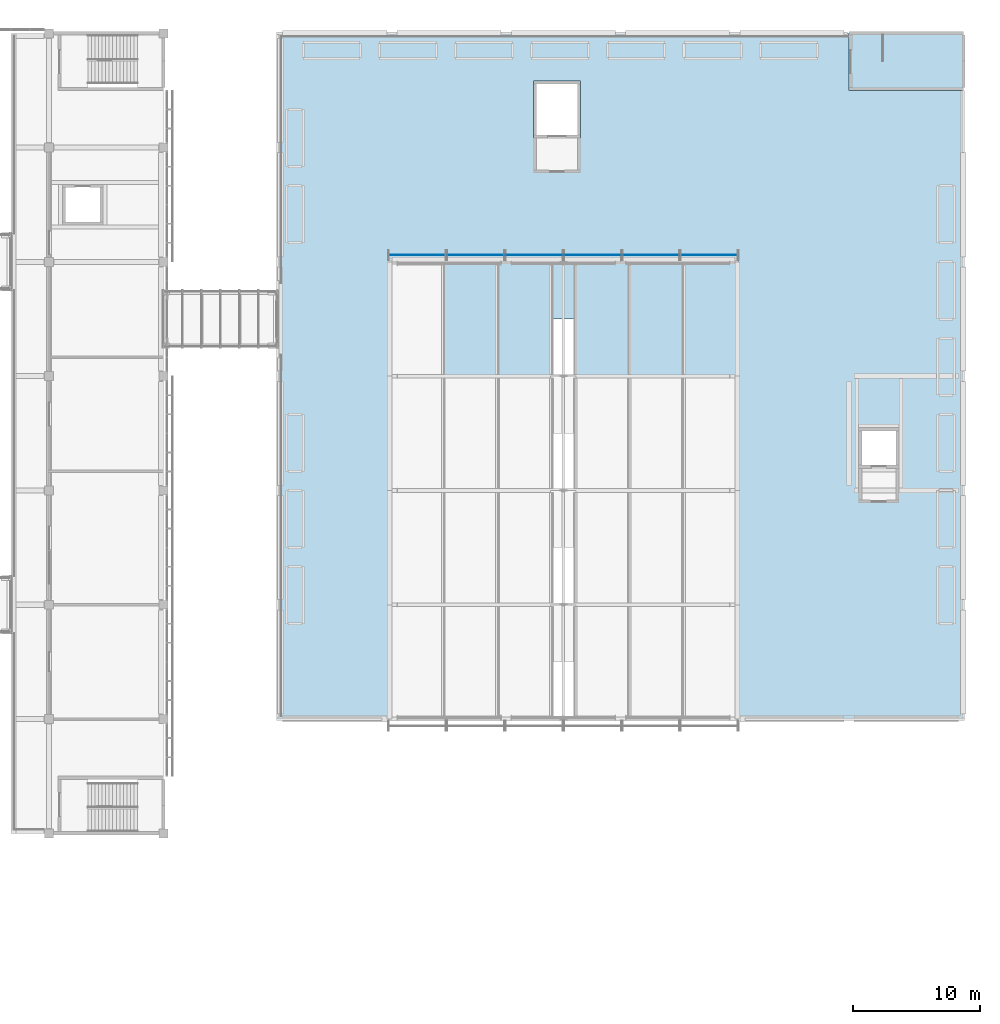
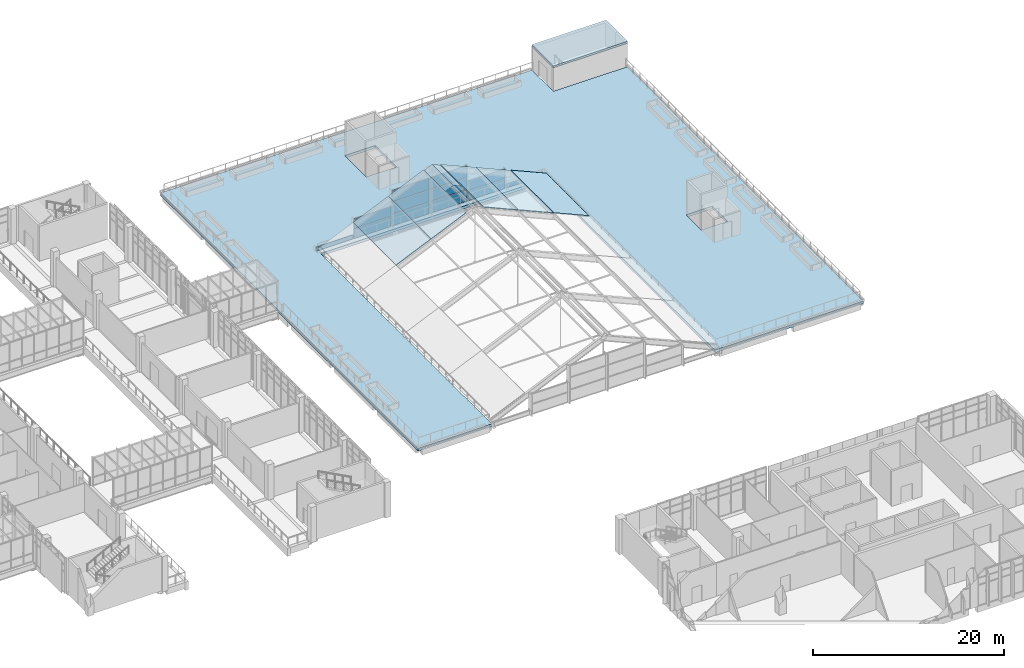
# One storey, part 65 of 106: 19 plates, 2 slabs, 6 elements without a shape of their own.
"""IFC4 building model written with IfcOpenShell, lengths in metres."""

from ifc_helpers import new_model, si_unit, direction, frame, origin, origin_2d, place, context, subcontext, project, spatial, polyline, rectangle, outline, extrude, material, layer, layer_set, type_object, element, aggregate, save


model = new_model("IFC4")

# Units and contexts
model_context = context("Model", 3, precision=1e-05, world=origin(), true_north=direction((0.0, 1.0)))
body_context = subcontext(model_context, "Body", "Model", "MODEL_VIEW")
ifc_project = project(units=[si_unit("LENGTHUNIT", "METRE"), si_unit("AREAUNIT", "SQUARE_METRE"), si_unit("VOLUMEUNIT", "CUBIC_METRE"), si_unit("PLANEANGLEUNIT", "RADIAN"), si_unit("MASSUNIT", "GRAM", prefix="KILO")], contexts=[model_context])

# Site, building, storey
site_placement = place(None, origin())
site = spatial("IfcSite", under=ifc_project, at=site_placement, CompositionType="ELEMENT")
building_placement = place(site_placement, origin())
building = spatial("IfcBuilding", under=site, at=building_placement, Name="Guidao Yard Department Store", CompositionType="ELEMENT")
storey_placement = place(building_placement, frame((0.0, 0.0, 10.5)))
storey = spatial("IfcBuildingStorey", under=building, at=storey_placement, Name="L02", CompositionType="ELEMENT", Elevation=10.5)

# Curtain wall, plate
ifc_material_1 = material(Name="Aluminium and glass", Category="aluminium")
ifc_layer_1 = layer(ifc_material_1, 0.159912109375)
ifc_layer_set_1 = layer_set([ifc_layer_1], Name="Gable glazing CW7 1500 module")
curtain_wall_type = type_object("IfcCurtainWallType", Name="Gable glazing CW7 1500 module", PredefinedType="NOTDEFINED", material=ifc_layer_set_1)
curtain_wall_1_placement = place(storey_placement, origin())
curtain_wall_1 = element("IfcCurtainWall", 1, at=curtain_wall_1_placement, inside=storey, type_object=curtain_wall_type, Name="Gable glazing FN1", PredefinedType="NOTDEFINED")
ifc_material_2 = material(Name="Laminated glass", Category="glass")
ifc_layer_2 = layer(ifc_material_2, 0.017578125)
ifc_layer_set_2 = layer_set([ifc_layer_2], Name="Gable glass GG1 laminated 8+8")
plate_type_1 = type_object("IfcPlateType", Name="Gable glass GG1 laminated 8+8", PredefinedType="CURTAIN_PANEL", material=ifc_layer_set_2)
plate_1_placement = place(storey_placement, frame((128.0029296875, 90.5400390625, 0.06005859375), z_axis=(0.0, 0.0, 1.0), x_axis=(1.0, 0.0, 0.0)))
plate_1 = element("IfcPlate", 2, at=plate_1_placement, type_object=plate_type_1, Name="CW-TFN1 panel 1.1", PredefinedType="CURTAIN_PANEL", context=body_context, shape_type="SweptSolid", body=[
    extrude(rectangle(XDim=4.478759765625, YDim=0.017578125, at=origin_2d()), origin(), (0.0, 0.0, 1.0), 0.520751953125),
])
aggregate(curtain_wall_1, [plate_1])

# Curtain wall, plates
curtain_wall_2_placement = place(storey_placement, origin())
curtain_wall_2 = element("IfcCurtainWall", 3, at=curtain_wall_2_placement, inside=storey, type_object=curtain_wall_type, Name="Gable glazing FN2", PredefinedType="NOTDEFINED")
plate_2_placement = place(storey_placement, frame((132.601806640625, 90.5400390625, 0.06005859375), z_axis=(0.0, 0.0, 1.0), x_axis=(1.0, 0.0, 0.0)))
plate_2 = element("IfcPlate", 4, at=plate_2_placement, type_object=plate_type_1, Name="CW-TFN2 panel 1.1", PredefinedType="CURTAIN_PANEL", context=body_context, shape_type="SweptSolid", body=[
    extrude(rectangle(XDim=4.478759765625, YDim=0.017578125, at=origin_2d()), origin(), (0.0, 0.0, 1.0), 1.24072265625),
])
plate_3_placement = place(storey_placement, frame((132.601806640625, 90.5400390625, 1.36083984375), z_axis=(0.0, 0.0, 1.0), x_axis=(1.0, 0.0, 0.0)))
plate_3 = element("IfcPlate", 5, at=plate_3_placement, type_object=plate_type_1, Name="CW-TFN2 panel 1.2", PredefinedType="CURTAIN_PANEL", context=body_context, shape_type="SweptSolid", body=[
    extrude(rectangle(XDim=4.478759765625, YDim=0.017578125, at=origin_2d()), origin(), (0.0, 0.0, 1.0), 1.24072265625),
])
aggregate(curtain_wall_2, [plate_2, plate_3])

curtain_wall_3_placement = place(storey_placement, origin())
curtain_wall_3 = element("IfcCurtainWall", 6, at=curtain_wall_3_placement, inside=storey, type_object=curtain_wall_type, Name="Gable glazing FN3", PredefinedType="NOTDEFINED")
plate_4_placement = place(storey_placement, frame((137.20068359375, 90.5400390625, 0.06005859375), z_axis=(0.0, 0.0, 1.0), x_axis=(1.0, 0.0, 0.0)))
plate_4 = element("IfcPlate", 7, at=plate_4_placement, type_object=plate_type_1, Name="CW-TFN3 panel 1.1", PredefinedType="CURTAIN_PANEL", context=body_context, shape_type="SweptSolid", body=[
    extrude(rectangle(XDim=4.478759765625, YDim=0.017578125, at=origin_2d()), origin(), (0.0, 0.0, 1.0), 1.470703125),
])
plate_5_placement = place(storey_placement, frame((137.20068359375, 90.5400390625, 1.5908203125), z_axis=(0.0, 0.0, 1.0), x_axis=(1.0, 0.0, 0.0)))
plate_5 = element("IfcPlate", 8, at=plate_5_placement, type_object=plate_type_1, Name="CW-TFN3 panel 1.2", PredefinedType="CURTAIN_PANEL", context=body_context, shape_type="SweptSolid", body=[
    extrude(rectangle(XDim=4.478759765625, YDim=0.017578125, at=origin_2d()), origin(), (0.0, 0.0, 1.0), 1.500732421875),
])
plate_6_placement = place(storey_placement, frame((137.20068359375, 90.5400390625, 3.1513671875), z_axis=(0.0, 0.0, 1.0), x_axis=(1.0, 0.0, 0.0)))
plate_6 = element("IfcPlate", 9, at=plate_6_placement, type_object=plate_type_1, Name="CW-TFN3 panel 1.3", PredefinedType="CURTAIN_PANEL", context=body_context, shape_type="SweptSolid", body=[
    extrude(rectangle(XDim=4.478759765625, YDim=0.017578125, at=origin_2d()), origin(), (0.0, 0.0, 1.0), 1.470703125),
])
aggregate(curtain_wall_3, [plate_4, plate_5, plate_6])

curtain_wall_4_placement = place(storey_placement, origin())
curtain_wall_4 = element("IfcCurtainWall", 10, at=curtain_wall_4_placement, inside=storey, type_object=curtain_wall_type, Name="Gable glazing FN4", PredefinedType="NOTDEFINED")
plate_7_placement = place(storey_placement, frame((141.79931640625, 90.5400390625, 0.06005859375), z_axis=(0.0, 0.0, 1.0), x_axis=(1.0, 0.0, 0.0)))
plate_7 = element("IfcPlate", 11, at=plate_7_placement, type_object=plate_type_1, Name="CW-TFN4 panel 1.1", PredefinedType="CURTAIN_PANEL", context=body_context, shape_type="SweptSolid", body=[
    extrude(rectangle(XDim=4.478759765625, YDim=0.017578125, at=origin_2d()), origin(), (0.0, 0.0, 1.0), 1.470703125),
])
plate_8_placement = place(storey_placement, frame((141.79931640625, 90.5400390625, 1.5908203125), z_axis=(0.0, 0.0, 1.0), x_axis=(1.0, 0.0, 0.0)))
plate_8 = element("IfcPlate", 12, at=plate_8_placement, type_object=plate_type_1, Name="CW-TFN4 panel 1.2", PredefinedType="CURTAIN_PANEL", context=body_context, shape_type="SweptSolid", body=[
    extrude(rectangle(XDim=4.478759765625, YDim=0.017578125, at=origin_2d()), origin(), (0.0, 0.0, 1.0), 1.500732421875),
])
plate_9_placement = place(storey_placement, frame((141.79931640625, 90.5400390625, 3.1513671875), z_axis=(0.0, 0.0, 1.0), x_axis=(1.0, 0.0, 0.0)))
plate_9 = element("IfcPlate", 13, at=plate_9_placement, type_object=plate_type_1, Name="CW-TFN4 panel 1.3", PredefinedType="CURTAIN_PANEL", context=body_context, shape_type="SweptSolid", body=[
    extrude(rectangle(XDim=4.478759765625, YDim=0.017578125, at=origin_2d()), origin(), (0.0, 0.0, 1.0), 1.470703125),
])
aggregate(curtain_wall_4, [plate_7, plate_8, plate_9])

curtain_wall_5_placement = place(storey_placement, origin())
curtain_wall_5 = element("IfcCurtainWall", 14, at=curtain_wall_5_placement, inside=storey, type_object=curtain_wall_type, Name="Gable glazing FN5", PredefinedType="NOTDEFINED")
plate_10_placement = place(storey_placement, frame((146.398193359375, 90.5400390625, 0.06005859375), z_axis=(0.0, 0.0, 1.0), x_axis=(1.0, 0.0, 0.0)))
plate_10 = element("IfcPlate", 15, at=plate_10_placement, type_object=plate_type_1, Name="CW-TFN5 panel 1.1", PredefinedType="CURTAIN_PANEL", context=body_context, shape_type="SweptSolid", body=[
    extrude(rectangle(XDim=4.478759765625, YDim=0.017578125, at=origin_2d()), origin(), (0.0, 0.0, 1.0), 1.24072265625),
])
plate_11_placement = place(storey_placement, frame((146.398193359375, 90.5400390625, 1.36083984375), z_axis=(0.0, 0.0, 1.0), x_axis=(1.0, 0.0, 0.0)))
plate_11 = element("IfcPlate", 16, at=plate_11_placement, type_object=plate_type_1, Name="CW-TFN5 panel 1.2", PredefinedType="CURTAIN_PANEL", context=body_context, shape_type="SweptSolid", body=[
    extrude(rectangle(XDim=4.478759765625, YDim=0.017578125, at=origin_2d()), origin(), (0.0, 0.0, 1.0), 1.24072265625),
])
aggregate(curtain_wall_5, [plate_10, plate_11])

# Curtain wall, plate
curtain_wall_6_placement = place(storey_placement, origin())
curtain_wall_6 = element("IfcCurtainWall", 17, at=curtain_wall_6_placement, inside=storey, type_object=curtain_wall_type, Name="Gable glazing FN6", PredefinedType="NOTDEFINED")
plate_12_placement = place(storey_placement, frame((150.9970703125, 90.5400390625, 0.06005859375), z_axis=(0.0, 0.0, 1.0), x_axis=(1.0, 0.0, 0.0)))
plate_12 = element("IfcPlate", 18, at=plate_12_placement, type_object=plate_type_1, Name="CW-TFN6 panel 1.1", PredefinedType="CURTAIN_PANEL", context=body_context, shape_type="SweptSolid", body=[
    extrude(rectangle(XDim=4.478759765625, YDim=0.017578125, at=origin_2d()), origin(), (0.0, 0.0, 1.0), 0.520751953125),
])
aggregate(curtain_wall_6, [plate_12])

# Slab
ifc_material_3 = material(Name="Concrete C35", Category="concrete")
ifc_layer_3 = layer(ifc_material_3, 0.35009765625)
ifc_layer_set_3 = layer_set([ifc_layer_3], Name="Garden roof slab 350 C35")
slab_type_1 = type_object("IfcSlabType", Name="Garden roof slab 350 C35", PredefinedType="ROOF", material=ifc_layer_set_3)
slab_1_placement = place(storey_placement, frame((0.0, 0.0, -0.35009765625)))
element("IfcSlab", 19, at=slab_1_placement, inside=storey, type_object=slab_type_1, Name="Slab ROOF-F", PredefinedType="ROOF", context=body_context, shape_type="SweptSolid", body=[
    extrude(outline(polyline([(153.0, 54.0), (153.0, 90.0), (126.0, 90.0), (126.0, 54.0), (117.0, 54.0), (117.0, 108.0), (162.0, 108.0), (162.0, 103.5), (171.0, 103.5), (171.0, 54.0), (153.0, 54.0)]), holes=[polyline([(162.75, 73.75), (165.949951171875, 73.75), (165.949951171875, 76.949951171875), (162.75, 76.949951171875), (162.75, 73.75)]), polyline([(137.14990234375, 104.25), (137.14990234375, 99.75), (140.85009765625, 99.75), (140.85009765625, 104.25), (137.14990234375, 104.25)])]), origin(), (0.0, 0.0, 1.0), 0.35009765625),
])

# Plates
ifc_material_4 = material(Name="Laminated glass", Category="glass")
ifc_layer_4 = layer(ifc_material_4, 0.021484375)
ifc_layer_set_4 = layer_set([ifc_layer_4], Name="Roof glass RG3 laminated clear 10+10 PVB 1.52")
plate_type_2 = type_object("IfcPlateType", Name="Roof glass RG3 laminated clear 10+10 PVB 1.52", PredefinedType="SHEET", material=ifc_layer_set_4)
for number, where, z_axis, x_axis, name in (
    (20, (138.491455078125, 85.5, 6.282958984375), (-0.40231911505, 0.0, 0.915499497359), (0.915499497359, 0.0, 0.40231911505), "Roof glass F04-04B"),
    (21, (139.491455078125, 85.5, 6.722412109375), (0.40231911505, 0.0, 0.915499497359), (0.915499497359, 0.0, -0.40231911505), "Roof glass F04-05B"),
):
    element("IfcPlate", number, at=place(storey_placement, frame(where, z_axis=z_axis, x_axis=x_axis)), inside=storey, type_object=plate_type_2, Name=name, PredefinedType="SHEET", context=body_context, shape_type="SweptSolid", body=[
        extrude(outline(polyline([(0.0, 0.0), (1.0922998897153957, 0.0), (1.0922998897153957, 4.5), (0.0, 4.5), (0.0, 0.0)])), origin(), (0.0, 0.0, -1.0), 0.021484375),
    ])
ifc_material_5 = material(Name="Standing seam steel roofing", Category="steel")
ifc_layer_5 = layer(ifc_material_5, 0.10009765625)
ifc_layer_set_5 = layer_set([ifc_layer_5], Name="Roof plate RP2 standing seam steel on 100 mm insulation")
plate_type_3 = type_object("IfcPlateType", Name="Roof plate RP2 standing seam steel on 100 mm insulation", PredefinedType="SHEET", material=ifc_layer_set_5)
plate_13_placement = place(storey_placement, frame((129.9287109375, 81.0, 2.606689453125), z_axis=(-0.40222578536, 0.0, 0.915540505708), x_axis=(0.915540505708, 0.0, 0.40222578536)))
element("IfcPlate", 22, at=plate_13_placement, inside=storey, type_object=plate_type_3, Name="Roof panel F04-02", PredefinedType="SHEET", context=body_context, shape_type="SweptSolid", body=[
    extrude(outline(polyline([(0.0, 0.0), (4.659133018590939, 0.0), (4.659133018590939, 9.0), (0.0, 9.0), (0.0, 0.0)])), origin(), (0.0, 0.0, -1.0), 0.10009765625),
])
for number, where, z_axis, x_axis, name in (
    (23, (134.1943359375, 81.0, 4.480712890625), (-0.402289005579, 0.0, 0.91551272847), (0.91551272847, 0.0, 0.402289005579), "Roof panel F04-03"),
    (24, (140.540283203125, 81.0, 6.35498046875), (0.402289005579, 0.0, 0.91551272847), (0.91551272847, 0.0, -0.402289005579), "Roof panel F04-06"),
):
    element("IfcPlate", number, at=place(storey_placement, frame(where, z_axis=z_axis, x_axis=x_axis)), inside=storey, type_object=plate_type_3, Name=name, PredefinedType="SHEET", context=body_context, shape_type="SweptSolid", body=[
        extrude(outline(polyline([(0.0, 0.0), (4.659007708722231, 0.0), (4.659007708722231, 9.0), (0.0, 9.0), (0.0, 0.0)])), origin(), (0.0, 0.0, -1.0), 0.10009765625),
    ])
plate_14_placement = place(storey_placement, frame((144.8056640625, 81.0, 4.480712890625), z_axis=(0.40222578536, 0.0, 0.915540505708), x_axis=(0.915540505708, 0.0, -0.40222578536)))
element("IfcPlate", 25, at=plate_14_placement, inside=storey, type_object=plate_type_3, Name="Roof panel F04-07", PredefinedType="SHEET", context=body_context, shape_type="SweptSolid", body=[
    extrude(outline(polyline([(0.0, 0.0), (4.659133018590939, 0.0), (4.659133018590939, 9.0), (0.0, 9.0), (0.0, 0.0)])), origin(), (0.0, 0.0, -1.0), 0.10009765625),
])
plate_15_placement = place(storey_placement, frame((149.0712890625, 81.0, 2.606689453125), z_axis=(0.402269706777, 0.0, 0.915521208389), x_axis=(0.915521208389, 0.0, -0.402269706777)))
element("IfcPlate", 26, at=plate_15_placement, inside=storey, type_object=plate_type_3, Name="Roof panel F04-08", PredefinedType="SHEET", context=body_context, shape_type="SweptSolid", body=[
    extrude(outline(polyline([(0.0, 0.0), (4.659231223607126, 0.0), (4.659231223607126, 9.0), (0.0, 9.0), (0.0, 0.0)])), origin(), (0.0, 0.0, -1.0), 0.10009765625),
])

# Slab
ifc_material_6 = material(Name="Concrete C35", Category="concrete")
ifc_layer_6 = layer(ifc_material_6, 0.25)
ifc_layer_set_6 = layer_set([ifc_layer_6], Name="Roof slab RC 250 C35 head house")
slab_type_2 = type_object("IfcSlabType", Name="Roof slab RC 250 C35 head house", PredefinedType="ROOF", material=ifc_layer_set_6)
slab_2_placement = place(storey_placement, frame((0.0, 0.0, 3.0)))
element("IfcSlab", 27, at=slab_2_placement, inside=storey, type_object=slab_type_2, Name="Stair F2 head roof", PredefinedType="ROOF", context=body_context, shape_type="SweptSolid", body=[
    extrude(outline(polyline([(162.0, 103.5), (171.0, 103.5), (171.0, 108.0), (162.0, 108.0), (162.0, 103.5)])), origin(), (0.0, 0.0, 1.0), 0.25),
])

save(model, "model.ifc")
